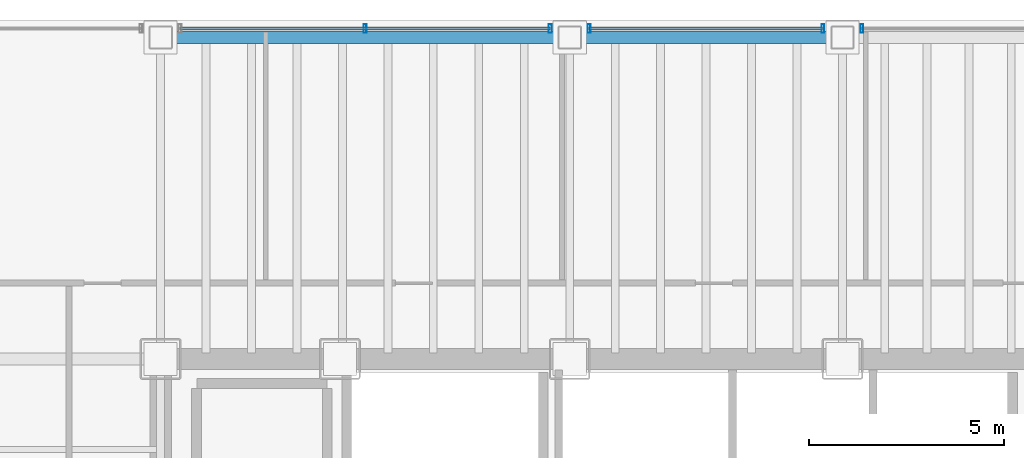
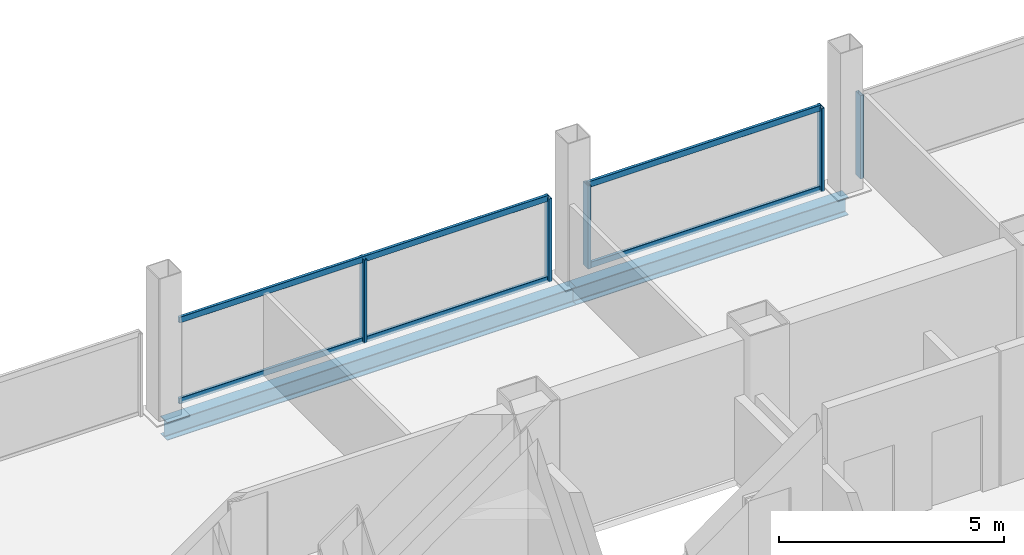
# One storey, part 15 of 21: 9 members, 2 beams, 3 elements without a shape of their own.
"""IFC4 building model written with IfcOpenShell, lengths in metres."""

from ifc_helpers import new_model, si_unit, direction, frame, origin, origin_2d, place, context, subcontext, project, spatial, hollow_rectangle, i_section, extrude, material, material_profile, profile_set, type_object, element, aggregate, save


model = new_model("IFC4")

# Units and contexts
model_context = context("Model", 3, precision=1e-05, world=origin(), true_north=direction((0.0, 1.0)))
body_context = subcontext(model_context, "Body", "Model", "MODEL_VIEW")
ifc_project = project(units=[si_unit("LENGTHUNIT", "METRE"), si_unit("AREAUNIT", "SQUARE_METRE"), si_unit("VOLUMEUNIT", "CUBIC_METRE"), si_unit("PLANEANGLEUNIT", "RADIAN"), si_unit("MASSUNIT", "GRAM", prefix="KILO")], contexts=[model_context])

# Site, building, storey
site_placement = place(None, origin())
site = spatial("IfcSite", under=ifc_project, at=site_placement, CompositionType="ELEMENT")
building_placement = place(site_placement, origin())
building = spatial("IfcBuilding", under=site, at=building_placement, Name="Noeulbin Bourse Tower", CompositionType="ELEMENT")
storey_placement = place(building_placement, frame((0.0, 0.0, 49.89990234375)))
storey = spatial("IfcBuildingStorey", under=building, at=storey_placement, Name="L12", CompositionType="ELEMENT", Elevation=49.89990234375)

# Beams
ifc_material_1 = material(Name="Steel S355", Category="steel")
ifc_material_profile_1 = material_profile(ifc_material_1, i_section(OverallWidth=0.300048828125, OverallDepth=0.488037109375, WebThickness=0.010986328125, FlangeThickness=0.01806640625, FilletRadius=0.02197265625, at=origin_2d()), Name="H-488x300x11x18", Category="LoadBearing")
ifc_profile_set_1 = profile_set([ifc_material_profile_1], Name="Steel S355")
beam_type = type_object("IfcBeamType", Name="BM-SPN-488", PredefinedType="SPANDREL", material=ifc_profile_set_1)
beam_1_placement = place(storey_placement, frame((13.5, 46.550048828125, -0.423828125), z_axis=(1.0, 0.0, 0.0), x_axis=(0.0, 1.0, 0.0)))
element("IfcBeam", 1, at=beam_1_placement, inside=storey, type_object=beam_type, Name="North Spandrel L12-1", PredefinedType="SPANDREL", context=body_context, shape_type="SweptSolid", body=[
    extrude(i_section(OverallWidth=0.300048828125, OverallDepth=0.488037109375, WebThickness=0.010986328125, FlangeThickness=0.01806640625, FilletRadius=0.02197265625, at=origin_2d()), origin(), (0.0, 0.0, 1.0), 10.5),
])
beam_2_placement = place(storey_placement, frame((24.0, 46.550048828125, -0.423828125), z_axis=(1.0, 0.0, 0.0), x_axis=(0.0, 1.0, 0.0)))
element("IfcBeam", 2, at=beam_2_placement, inside=storey, type_object=beam_type, Name="North Spandrel L12-2", PredefinedType="SPANDREL", context=body_context, shape_type="SweptSolid", body=[
    extrude(i_section(OverallWidth=0.300048828125, OverallDepth=0.488037109375, WebThickness=0.010986328125, FlangeThickness=0.01806640625, FilletRadius=0.02197265625, at=origin_2d()), origin(), (0.0, 0.0, 1.0), 7.0),
])

# Curtain wall, members
ifc_material_2 = material(Name="Dark Solar-Control Double Glazing", Category="glass")
curtain_wall_type = type_object("IfcCurtainWallType", Name="CW-SYS-2", PredefinedType="NOTDEFINED", material=ifc_material_2)
curtain_wall_1_placement = place(storey_placement, origin())
curtain_wall_1 = element("IfcCurtainWall", 3, at=curtain_wall_1_placement, inside=storey, type_object=curtain_wall_type, Name="Unitised Curtain Wall CW-L12-N-S2", PredefinedType="NOTDEFINED")
ifc_material_3 = material(Name="Anodised Aluminium 6063-T6", Category="aluminium")
ifc_material_profile_2 = material_profile(ifc_material_3, hollow_rectangle(XDim=0.074951171875, YDim=0.219970703125, WallThickness=0.0048828125, InnerFilletRadius=0.00244140625, OuterFilletRadius=0.0048828125, at=origin_2d()), Name="ALU-MULL-75x220x5", Category="LoadBearing")
ifc_profile_set_2 = profile_set([ifc_material_profile_2], Name="Anodised Aluminium 6063-T6")
member_type_1 = type_object("IfcMemberType", Name="CW-SYS-2-MUL", PredefinedType="MULLION", material=ifc_profile_set_2)
member_1_placement = place(storey_placement, frame((18.75, 46.780029296875, -0.02001953125), z_axis=(0.0, 0.0, 1.0), x_axis=(1.0, 0.0, 0.0)))
member_1 = element("IfcMember", 4, at=member_1_placement, type_object=member_type_1, Name="Curtain Wall Mullion CW-L12-N-S2-M01", PredefinedType="MULLION", context=body_context, shape_type="SweptSolid", body=[
    extrude(hollow_rectangle(XDim=0.074951171875, YDim=0.219970703125, WallThickness=0.0048828125, InnerFilletRadius=0.00244140625, OuterFilletRadius=0.0048828125, at=origin_2d()), origin(), (0.0, 0.0, 1.0), 2.260009765625),
])
member_2_placement = place(storey_placement, frame((23.5, 46.780029296875, -0.02001953125), z_axis=(0.0, 0.0, 1.0), x_axis=(1.0, 0.0, 0.0)))
member_2 = element("IfcMember", 5, at=member_2_placement, type_object=member_type_1, Name="Curtain Wall Mullion CW-L12-N-S2-M02", PredefinedType="MULLION", context=body_context, shape_type="SweptSolid", body=[
    extrude(hollow_rectangle(XDim=0.074951171875, YDim=0.219970703125, WallThickness=0.0048828125, InnerFilletRadius=0.00244140625, OuterFilletRadius=0.0048828125, at=origin_2d()), origin(), (0.0, 0.0, 1.0), 2.260009765625),
])

curtain_wall_2_placement = place(storey_placement, origin())
curtain_wall_2 = element("IfcCurtainWall", 6, at=curtain_wall_2_placement, inside=storey, type_object=curtain_wall_type, Name="Unitised Curtain Wall CW-L12-N-S3", PredefinedType="NOTDEFINED")
member_3_placement = place(storey_placement, frame((24.5, 46.780029296875, -0.02001953125), z_axis=(0.0, 0.0, 1.0), x_axis=(1.0, 0.0, 0.0)))
member_3 = element("IfcMember", 7, at=member_3_placement, type_object=member_type_1, Name="Curtain Wall Mullion CW-L12-N-S3-M00", PredefinedType="MULLION", context=body_context, shape_type="SweptSolid", body=[
    extrude(hollow_rectangle(XDim=0.074951171875, YDim=0.219970703125, WallThickness=0.0048828125, InnerFilletRadius=0.00244140625, OuterFilletRadius=0.0048828125, at=origin_2d()), origin(), (0.0, 0.0, 1.0), 2.260009765625),
])
member_4_placement = place(storey_placement, frame((30.5, 46.780029296875, -0.02001953125), z_axis=(0.0, 0.0, 1.0), x_axis=(1.0, 0.0, 0.0)))
member_4 = element("IfcMember", 8, at=member_4_placement, type_object=member_type_1, Name="Curtain Wall Mullion CW-L12-N-S3-M01", PredefinedType="MULLION", context=body_context, shape_type="SweptSolid", body=[
    extrude(hollow_rectangle(XDim=0.074951171875, YDim=0.219970703125, WallThickness=0.0048828125, InnerFilletRadius=0.00244140625, OuterFilletRadius=0.0048828125, at=origin_2d()), origin(), (0.0, 0.0, 1.0), 2.260009765625),
])

# Curtain wall, member
curtain_wall_3_placement = place(storey_placement, origin())
curtain_wall_3 = element("IfcCurtainWall", 9, at=curtain_wall_3_placement, inside=storey, type_object=curtain_wall_type, Name="Unitised Curtain Wall CW-L12-N-S4", PredefinedType="NOTDEFINED")
member_5_placement = place(storey_placement, frame((31.5, 46.780029296875, -0.02001953125), z_axis=(0.0, 0.0, 1.0), x_axis=(1.0, 0.0, 0.0)))
member_5 = element("IfcMember", 10, at=member_5_placement, type_object=member_type_1, Name="Curtain Wall Mullion CW-L12-N-S4-M00", PredefinedType="MULLION", context=body_context, shape_type="SweptSolid", body=[
    extrude(hollow_rectangle(XDim=0.074951171875, YDim=0.219970703125, WallThickness=0.0048828125, InnerFilletRadius=0.00244140625, OuterFilletRadius=0.0048828125, at=origin_2d()), origin(), (0.0, 0.0, 1.0), 2.260009765625),
])
aggregate(curtain_wall_3, [member_5])

# Member
ifc_material_profile_3 = material_profile(ifc_material_3, hollow_rectangle(XDim=0.074951171875, YDim=0.159912109375, WallThickness=0.0048828125, InnerFilletRadius=0.00244140625, OuterFilletRadius=0.0048828125, at=origin_2d()), Name="ALU-TRAN-75x160x5", Category="LoadBearing")
ifc_profile_set_3 = profile_set([ifc_material_profile_3], Name="Anodised Aluminium 6063-T6")
member_type_2 = type_object("IfcMemberType", Name="CW-SYS-2-TRN", PredefinedType="USERDEFINED", material=ifc_profile_set_3)
member_6_placement = place(storey_placement, frame((14.010009765625, 46.780029296875, 0.010009765625), z_axis=(1.0, 0.0, 0.0), x_axis=(0.0, 1.0, 0.0)))
member_6 = element("IfcMember", 11, at=member_6_placement, type_object=member_type_2, Name="Curtain Wall Transom CW-L12-N-S2-T00", ObjectType="TRANSOM", PredefinedType="USERDEFINED", context=body_context, shape_type="SweptSolid", body=[
    extrude(hollow_rectangle(XDim=0.074951171875, YDim=0.159912109375, WallThickness=0.0048828125, InnerFilletRadius=0.00244140625, OuterFilletRadius=0.0048828125, at=origin_2d()), origin(), (0.0, 0.0, 1.0), 9.47998046875),
])

member_7_placement = place(storey_placement, frame((14.010009765625, 46.780029296875, 2.210205078125), z_axis=(1.0, 0.0, 0.0), x_axis=(0.0, 1.0, 0.0)))
member_7 = element("IfcMember", 12, at=member_7_placement, type_object=member_type_2, Name="Curtain Wall Transom CW-L12-N-S2-T01", ObjectType="TRANSOM", PredefinedType="USERDEFINED", context=body_context, shape_type="SweptSolid", body=[
    extrude(hollow_rectangle(XDim=0.074951171875, YDim=0.159912109375, WallThickness=0.0048828125, InnerFilletRadius=0.00244140625, OuterFilletRadius=0.0048828125, at=origin_2d()), origin(), (0.0, 0.0, 1.0), 9.47998046875),
])

aggregate(curtain_wall_1, [member_1, member_2, member_6, member_7])

member_8_placement = place(storey_placement, frame((24.510009765625, 46.780029296875, 0.010009765625), z_axis=(1.0, 0.0, 0.0), x_axis=(0.0, 1.0, 0.0)))
member_8 = element("IfcMember", 13, at=member_8_placement, type_object=member_type_2, Name="Curtain Wall Transom CW-L12-N-S3-T00", ObjectType="TRANSOM", PredefinedType="USERDEFINED", context=body_context, shape_type="SweptSolid", body=[
    extrude(hollow_rectangle(XDim=0.074951171875, YDim=0.159912109375, WallThickness=0.0048828125, InnerFilletRadius=0.00244140625, OuterFilletRadius=0.0048828125, at=origin_2d()), origin(), (0.0, 0.0, 1.0), 5.97998046875),
])

member_9_placement = place(storey_placement, frame((24.510009765625, 46.780029296875, 2.210205078125), z_axis=(1.0, 0.0, 0.0), x_axis=(0.0, 1.0, 0.0)))
member_9 = element("IfcMember", 14, at=member_9_placement, type_object=member_type_2, Name="Curtain Wall Transom CW-L12-N-S3-T01", ObjectType="TRANSOM", PredefinedType="USERDEFINED", context=body_context, shape_type="SweptSolid", body=[
    extrude(hollow_rectangle(XDim=0.074951171875, YDim=0.159912109375, WallThickness=0.0048828125, InnerFilletRadius=0.00244140625, OuterFilletRadius=0.0048828125, at=origin_2d()), origin(), (0.0, 0.0, 1.0), 5.97998046875),
])

aggregate(curtain_wall_2, [member_3, member_4, member_8, member_9])

save(model, "model.ifc")
